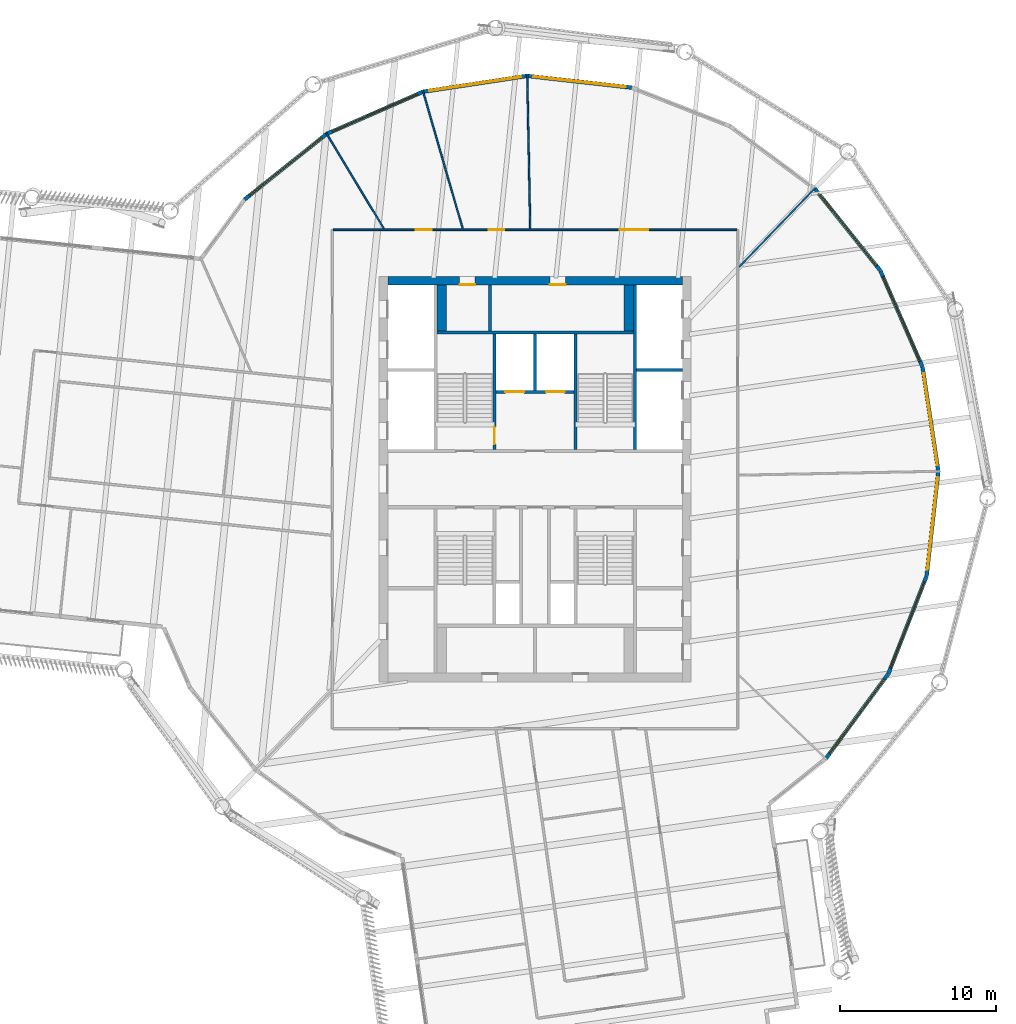
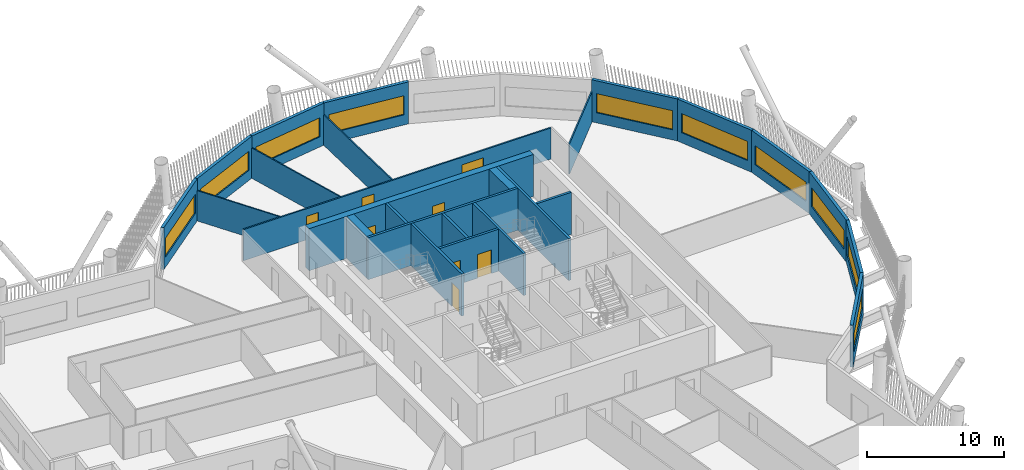
# One storey, part 6 of 22: 26 walls, 10 windows, 8 doors, 18 openings.
"""IFC4 building model written with IfcOpenShell, lengths in metres."""

import ifcopenshell
import ifcopenshell.guid

model = None  # the IFC model being written
_history = None  # IfcOwnerHistory: only IFC2X3 demands one
_inside = {}  # id of a spatial element -> (the spatial element, [elements in it])
_under = {}  # id of a project, library or spatial element -> (it, [spatial elements below it])
_declared = {}  # id of a project -> (the project, [libraries it declares])
_typed = {}  # id of a type object -> (the type object, [elements of that type])
_made_of = {}  # id of a material, layer set ... -> (it, [elements and type objects made of it])


def new_model(schema):
    """Start an empty IFC model of exactly this schema.

    Asked for "IFC4X3", IfcOpenShell would pick the latest addendum, in which some entities
    have other attributes; the version numbers below select the first issue.
    IFC2X3 requires an IfcOwnerHistory on every rooted entity: one is made here for all.
    """
    global model, _history
    if schema == "IFC4X3":
        model = ifcopenshell.file(schema_version=(4, 3, 0, 0))
    else:
        model = ifcopenshell.file(schema=schema)
    _inside.clear()
    _under.clear()
    _declared.clear()
    _typed.clear()
    _made_of.clear()
    _history = None
    if model.schema == "IFC2X3":
        org = make("IfcOrganization", Name="unknown")
        user = make(
            "IfcPersonAndOrganization",
            ThePerson=make("IfcPerson", FamilyName="unknown"),
            TheOrganization=org,
        )
        app = make(
            "IfcApplication",
            ApplicationDeveloper=org,
            Version="unknown",
            ApplicationFullName="unknown",
            ApplicationIdentifier="unknown",
        )
        _history = make(
            "IfcOwnerHistory",
            OwningUser=user,
            OwningApplication=app,
            ChangeAction="ADDED",
            CreationDate=0,
        )
    return model


def make(cls, **values):
    """One entity of the class cls with the attributes given. An attribute that is None is left unset."""
    return model.create_entity(
        cls, **{name: value for name, value in values.items() if value is not None}
    )


def rooted(cls, **values):
    """An entity with a GlobalId (a new one), such as an element, a storey or a relation."""
    return make(cls, GlobalId=ifcopenshell.guid.new(), OwnerHistory=_history, **values)


def si_unit(unit_type, name, prefix=None):
    """IfcSIUnit, for example si_unit("LENGTHUNIT", "METRE", prefix="MILLI")."""
    return make("IfcSIUnit", UnitType=unit_type, Prefix=prefix, Name=name)


def assignment(units):
    """IfcUnitAssignment: the units of a project."""
    return None if units is None else make("IfcUnitAssignment", Units=units)


def point(xyz):
    """IfcCartesianPoint."""
    return None if xyz is None else make("IfcCartesianPoint", Coordinates=xyz)


def direction(xyz):
    """IfcDirection."""
    return None if xyz is None else make("IfcDirection", DirectionRatios=xyz)


def frame(location, z_axis=None, x_axis=None):
    """IfcAxis2Placement3D, a coordinate frame: its origin and axes. An axis left out is left unset."""
    return make(
        "IfcAxis2Placement3D",
        Location=point(location),
        Axis=direction(z_axis),
        RefDirection=direction(x_axis),
    )


def frame_2d(location, x_axis=None):
    """IfcAxis2Placement2D, a coordinate frame in the plane: its origin and x axis."""
    return make(
        "IfcAxis2Placement2D", Location=point(location), RefDirection=direction(x_axis)
    )


def origin():
    """The frame at (0, 0, 0) with its axes left unset."""
    return frame((0.0, 0.0, 0.0))


def place(relative_to, where):
    """IfcLocalPlacement: puts the frame where relative to a parent placement (None: the world)."""
    return make(
        "IfcLocalPlacement", PlacementRelTo=relative_to, RelativePlacement=where
    )


def context(
    kind, dimensions, precision=None, world=None, true_north=None, identifier=None
):
    """IfcGeometricRepresentationContext, for example the 3D "Model" context."""
    return make(
        "IfcGeometricRepresentationContext",
        ContextIdentifier=identifier,
        ContextType=kind,
        CoordinateSpaceDimension=dimensions,
        Precision=precision,
        WorldCoordinateSystem=world,
        TrueNorth=true_north,
    )


def subcontext(parent, identifier, kind, view, scale=None):
    """IfcGeometricRepresentationSubContext, for example "Body" below "Model"."""
    return make(
        "IfcGeometricRepresentationSubContext",
        ContextIdentifier=identifier,
        ContextType=kind,
        ParentContext=parent,
        TargetScale=scale,
        TargetView=view,
    )


def project(units=None, contexts=None):
    """IfcProject with its units and contexts."""
    return rooted(
        "IfcProject",
        Name="project",
        RepresentationContexts=contexts,
        UnitsInContext=assignment(units),
    )


def spatial(cls, under=None, at=None, **own):
    """A site, building, storey or space (cls), placed at a placement, below another one or the project."""
    s = rooted(cls, ObjectPlacement=at, **own)
    if under is not None:
        _under.setdefault(under.id(), (under, []))[1].append(s)
    return s


def profile(cls, at=None, kind="AREA", **sizes):
    """A parametric profile (cls). Its sizes go by their IFC names, for example OverallWidth=200.0."""
    return make(cls, ProfileType=kind, Position=at, **sizes)


def rectangle(**sizes):
    """IfcRectangleProfileDef."""
    return profile("IfcRectangleProfileDef", **sizes)


def extrude(swept, where, along, depth):
    """IfcExtrudedAreaSolid: the profile swept, set in the frame where, extruded along a direction by depth."""
    return make(
        "IfcExtrudedAreaSolid",
        SweptArea=swept,
        Position=where,
        ExtrudedDirection=direction(along),
        Depth=depth,
    )


def shape(context_of_items, identifier, shape_type, items):
    """IfcShapeRepresentation: the items that make up one representation, for example the "Body"."""
    return make(
        "IfcShapeRepresentation",
        ContextOfItems=context_of_items,
        RepresentationIdentifier=identifier,
        RepresentationType=shape_type,
        Items=items,
    )


def material(Name=None, Category=None):
    """IfcMaterial."""
    return make("IfcMaterial", Name=Name, Category=Category)


def layer(
    of_material, thickness, ventilated=None, Name=None, Category=None, Priority=None
):
    """IfcMaterialLayer: one layer of a wall or slab, of a material (None: an air gap)."""
    return make(
        "IfcMaterialLayer",
        Material=of_material,
        LayerThickness=thickness,
        IsVentilated=ventilated,
        Name=Name,
        Category=Category,
        Priority=Priority,
    )


def layer_set(layers, Name=None):
    """IfcMaterialLayerSet."""
    return make("IfcMaterialLayerSet", MaterialLayers=layers, LayerSetName=Name)


def made_of(thing, what):
    """Note that an element or type object is made of a material, layer set ...; save() writes the relation."""
    if what is not None:
        _made_of.setdefault(what.id(), (what, []))[1].append(thing)
    return thing


def type_object(cls, material=None, **own):
    """A type object (cls), such as IfcWallType, which elements share."""
    return made_of(rooted(cls, **own), material)


def element(
    cls,
    number,
    at=None,
    inside=None,
    cuts=None,
    type_object=None,
    material=None,
    context=None,
    identifier="Body",
    shape_type=None,
    held_by="IfcProductDefinitionShape",
    body=None,
    shapes=None,
    **own,
):
    """One element of the class cls, such as IfcWall. Its Tag is "e" and its number.

    at: its placement. inside: the storey or other place that contains it. cuts: it is an
    opening in that element (IfcRelVoidsElement). A single representation is given by context,
    identifier, shape_type and body (its items); several are given by shapes. held_by: the class
    of the entity that holds the representations. save() writes the other relations.
    """
    e = rooted(cls, Tag="e%d" % number, ObjectPlacement=at, **own)
    if body is not None:
        shapes = [shape(context, identifier, shape_type, body)]
    if shapes is not None:
        e.Representation = make(held_by, Representations=shapes)
    if inside is not None:
        _inside.setdefault(inside.id(), (inside, []))[1].append(e)
    if cuts is not None:
        rooted(
            "IfcRelVoidsElement", RelatingBuildingElement=cuts, RelatedOpeningElement=e
        )
    if type_object is not None:
        _typed.setdefault(type_object.id(), (type_object, []))[1].append(e)
    return made_of(e, material)


def fill(opening, filler):
    """IfcRelFillsElement: the door or window that sits in an opening."""
    return rooted(
        "IfcRelFillsElement",
        RelatingOpeningElement=opening,
        RelatedBuildingElement=filler,
    )


def aggregate(whole, parts):
    """IfcRelAggregates: a whole, such as a stair, and the parts it consists of."""
    return rooted("IfcRelAggregates", RelatingObject=whole, RelatedObjects=parts)


def save(model, path):
    """Write the relations noted so far, then the file.

    IfcRelAggregates (storeys below a building ...), IfcRelContainedInSpatialStructure (elements
    in a storey), IfcRelDefinesByType, IfcRelAssociatesMaterial and IfcRelDeclares: one each for
    every whole, place, type object, material and project.
    """
    for whole, parts in _under.values():
        aggregate(whole, parts)
    for where, things in _inside.values():
        rooted(
            "IfcRelContainedInSpatialStructure",
            RelatedElements=things,
            RelatingStructure=where,
        )
    for kind, things in _typed.values():
        rooted("IfcRelDefinesByType", RelatedObjects=things, RelatingType=kind)
    for what, things in _made_of.values():
        rooted("IfcRelAssociatesMaterial", RelatedObjects=things, RelatingMaterial=what)
    for by, libraries in _declared.values():
        rooted("IfcRelDeclares", RelatingContext=by, RelatedDefinitions=libraries)
    model.write(path)


model = new_model("IFC4")

# Units and contexts
model_context = context("Model", 3, precision=1e-05, world=origin(), true_north=direction((0.0, 1.0)))
body_context = subcontext(model_context, "Body", "Model", "MODEL_VIEW")
ifc_project = project(units=[si_unit("LENGTHUNIT", "METRE"), si_unit("AREAUNIT", "SQUARE_METRE"), si_unit("VOLUMEUNIT", "CUBIC_METRE"), si_unit("PLANEANGLEUNIT", "RADIAN"), si_unit("MASSUNIT", "GRAM", prefix="KILO")], contexts=[model_context])

# Site, building, storey
site_placement = place(None, origin())
site = spatial("IfcSite", under=ifc_project, at=site_placement, CompositionType="ELEMENT")
building_placement = place(site_placement, origin())
building = spatial("IfcBuilding", under=site, at=building_placement, Name="Tarsis Ring Headquarters", CompositionType="ELEMENT")
storey_placement = place(building_placement, frame((0.0, 0.0, 263.0)))
storey = spatial("IfcBuildingStorey", under=building, at=storey_placement, Name="L61", CompositionType="ELEMENT", Elevation=263.0)

# Wall
ifc_material_1 = material(Name="Blockwork", Category="masonry")
ifc_layer_1 = layer(ifc_material_1, 0.199951171875)
ifc_layer_set_1 = layer_set([ifc_layer_1], Name="Core blockwork wall 200")
wall_type_1 = type_object("IfcWallType", Name="Core blockwork wall 200", PredefinedType="PARTITIONING", material=ifc_layer_set_1)
wall_1_placement = place(storey_placement, frame((-2.89990234375, 9.5, 0.0), z_axis=(0.0, 0.0, 1.0), x_axis=(0.0, 1.0, 0.0)))
element("IfcWall", 1, at=wall_1_placement, inside=storey, type_object=wall_type_1, Name="Core partition ND1", PredefinedType="PARTITIONING", context=body_context, shape_type="SweptSolid", body=[
    extrude(rectangle(XDim=2.949951171875, YDim=0.199951171875, at=frame_2d((1.47509765625, 0.0))), origin(), (0.0, 0.0, 1.0), 3.739990234375),
])

# Wall, openings, doors
ifc_material_2 = material(Name="Concrete C50/60", Category="concrete")
ifc_layer_2 = layer(ifc_material_2, 0.550048828125)
ifc_layer_set_2 = layer_set([ifc_layer_2], Name="Core wall 550 C50/60")
wall_type_2 = type_object("IfcWallType", Name="Core wall 550 C50/60", PredefinedType="SHEAR", material=ifc_layer_set_2)
wall_2_placement = place(storey_placement, frame((-9.449951171875, 12.72509765625, 0.0), z_axis=(0.0, 0.0, 1.0), x_axis=(1.0, 0.0, 0.0)))
wall_2 = element("IfcWall", 2, at=wall_2_placement, inside=storey, type_object=wall_type_2, Name="Core wall ON", PredefinedType="SHEAR", context=body_context, shape_type="SweptSolid", body=[
    extrude(rectangle(XDim=18.89990234375, YDim=0.550048828125, at=frame_2d((9.449951171875, 0.0))), origin(), (0.0, 0.0, 1.0), 3.739990234375),
])
opening_1_placement = place(wall_2_placement, frame((4.60009765625, 0.0, 0.0)))
opening_1 = element("IfcOpeningElement", 3, at=opening_1_placement, cuts=wall_2, Name="Opening L61-C16", PredefinedType="OPENING", context=body_context, shape_type="SweptSolid", body=[
    extrude(rectangle(XDim=1.0, YDim=2.10009765625, at=frame_2d((0.5, 1.050048828125))), frame((0.0, 0.284912109375, 0.0), z_axis=(0.0, -1.0, 0.0), x_axis=(1.0, 0.0, 0.0)), (0.0, 0.0, 1.0), 0.570068359375),
])
opening_2_placement = place(wall_2_placement, frame((10.39990234375, 0.0, 0.0)))
opening_2 = element("IfcOpeningElement", 4, at=opening_2_placement, cuts=wall_2, Name="Opening L61-C17", PredefinedType="OPENING", context=body_context, shape_type="SweptSolid", body=[
    extrude(rectangle(XDim=1.0, YDim=2.10009765625, at=frame_2d((0.5, 1.050048828125))), frame((0.0, 0.284912109375, 0.0), z_axis=(0.0, -1.0, 0.0), x_axis=(1.0, 0.0, 0.0)), (0.0, 0.0, 1.0), 0.570068359375),
])
ifc_material_3 = material(Name="Steel S355", Category="steel")
door_type_1 = type_object("IfcDoorType", Name="Core room door 1000x2100", OperationType="SINGLE_SWING_LEFT", PredefinedType="DOOR", material=ifc_material_3)
door_1_placement = place(opening_1_placement, origin())
door_1 = element("IfcDoor", 5, at=door_1_placement, inside=storey, type_object=door_type_1, Name="Core room door L61", OperationType="SINGLE_SWING_LEFT", OverallHeight=2.10009765625, OverallWidth=1.0, PredefinedType="DOOR", context=body_context, shape_type="SweptSolid", body=[
    extrude(rectangle(XDim=1.0, YDim=2.10009765625, at=frame_2d((0.5, 1.050048828125))), frame((0.0, -0.22509765625, 0.0), z_axis=(0.0, -1.0, 0.0), x_axis=(1.0, 0.0, 0.0)), (0.0, 0.0, 1.0), 0.050048828125),
])
fill(opening_1, door_1)
door_2_placement = place(opening_2_placement, origin())
door_2 = element("IfcDoor", 6, at=door_2_placement, inside=storey, type_object=door_type_1, Name="Core room door L61", OperationType="SINGLE_SWING_LEFT", OverallHeight=2.10009765625, OverallWidth=1.0, PredefinedType="DOOR", context=body_context, shape_type="SweptSolid", body=[
    extrude(rectangle(XDim=1.0, YDim=2.10009765625, at=frame_2d((0.5, 1.050048828125))), frame((0.0, -0.22509765625, 0.0), z_axis=(0.0, -1.0, 0.0), x_axis=(1.0, 0.0, 0.0)), (0.0, 0.0, 1.0), 0.050048828125),
])
fill(opening_2, door_2)

# Walls
ifc_material_4 = material(Name="Gypsum board on steel studs", Category="steel")
ifc_layer_3 = layer(ifc_material_4, 0.10009765625)
ifc_layer_set_3 = layer_set([ifc_layer_3], Name="FL partition 100 unrated")
wall_type_3 = type_object("IfcWallType", Name="FL partition 100 unrated", PredefinedType="PARTITIONING", material=ifc_layer_set_3)
wall_3_placement = place(storey_placement, frame((-0.507080078125, 25.94287109375, 0.0), z_axis=(0.0, 0.0, 1.0), x_axis=(0.019531870113, -0.999809234829, 0.0)))
element("IfcWall", 7, at=wall_3_placement, inside=storey, type_object=wall_type_3, Name="Partition PW3", PredefinedType="PARTITIONING", context=body_context, shape_type="SweptSolid", body=[
    extrude(rectangle(XDim=9.874755859375, YDim=0.10009765625, at=frame_2d((4.9375, 0.0))), origin(), (0.0, 0.0, 1.0), 2.699951171875),
])
wall_4_placement = place(storey_placement, frame((-7.204345703125, 24.927490234375, 0.0), z_axis=(0.0, 0.0, 1.0), x_axis=(0.277653123393, -0.960681395193, 0.0)))
element("IfcWall", 8, at=wall_4_placement, inside=storey, type_object=wall_type_3, Name="Partition PW3", PredefinedType="PARTITIONING", context=body_context, shape_type="SweptSolid", body=[
    extrude(rectangle(XDim=9.222900390625, YDim=0.10009765625, at=frame_2d((4.611328125, 0.0))), origin(), (0.0, 0.0, 1.0), 2.699951171875),
])
wall_5_placement = place(storey_placement, frame((-13.41064453125, 22.213623046875, 0.0), z_axis=(0.0, 0.0, 1.0), x_axis=(0.51680787544, -0.856101407477, 0.0)))
element("IfcWall", 9, at=wall_5_placement, inside=storey, type_object=wall_type_3, Name="Partition PW3", PredefinedType="PARTITIONING", context=body_context, shape_type="SweptSolid", body=[
    extrude(rectangle(XDim=7.168212890625, YDim=0.10009765625, at=frame_2d((3.583984375, 0.0))), origin(), (0.0, 0.0, 1.0), 2.699951171875),
])
wall_6_placement = place(storey_placement, frame((13.090087890625, 13.612060546875, 0.0), z_axis=(0.0, 0.0, 1.0), x_axis=(0.693162596652, 0.720781252949, 0.0)))
element("IfcWall", 10, at=wall_6_placement, inside=storey, type_object=wall_type_3, Name="Partition PW3", PredefinedType="PARTITIONING", context=body_context, shape_type="SweptSolid", body=[
    extrude(rectangle(XDim=7.06298828125, YDim=0.10009765625, at=frame_2d((3.531494140625, 0.0))), origin(), (0.0, 0.0, 1.0), 2.699951171875),
])

# Wall, openings, doors
ifc_layer_4 = layer(ifc_material_4, 0.125)
ifc_layer_set_4 = layer_set([ifc_layer_4], Name="FL partition 125 EI 60 H2770")
wall_type_4 = type_object("IfcWallType", Name="FL partition 125 EI 60 H2770", PredefinedType="PARTITIONING", material=ifc_layer_set_4)
wall_7_placement = place(storey_placement, frame((-12.93994140625, 16.0, 0.0), z_axis=(0.0, 0.0, 1.0), x_axis=(1.0, 0.0, 0.0)))
wall_7 = element("IfcWall", 11, at=wall_7_placement, inside=storey, type_object=wall_type_4, Name="Partition PW1", PredefinedType="PARTITIONING", context=body_context, shape_type="SweptSolid", body=[
    extrude(rectangle(XDim=25.8798828125, YDim=0.125, at=frame_2d((12.93994140625, 0.0))), origin(), (0.0, 0.0, 1.0), 2.77001953125),
])
opening_3_placement = place(wall_7_placement, frame((5.298095703125, 0.0, 0.0)))
opening_3 = element("IfcOpeningElement", 12, at=opening_3_placement, cuts=wall_7, Name="Opening D61.04", PredefinedType="OPENING", context=body_context, shape_type="SweptSolid", body=[
    extrude(rectangle(XDim=1.0, YDim=2.10009765625, at=frame_2d((0.5, 1.050048828125))), frame((0.0, 0.072509765625, 0.0), z_axis=(0.0, -1.0, 0.0), x_axis=(1.0, 0.0, 0.0)), (0.0, 0.0, 1.0), 0.14501953125),
])
opening_4_placement = place(wall_7_placement, frame((9.971435546875, 0.0, 0.0)))
opening_4 = element("IfcOpeningElement", 13, at=opening_4_placement, cuts=wall_7, Name="Opening D61.05", PredefinedType="OPENING", context=body_context, shape_type="SweptSolid", body=[
    extrude(rectangle(XDim=1.0, YDim=2.10009765625, at=frame_2d((0.5, 1.050048828125))), frame((0.0, 0.072509765625, 0.0), z_axis=(0.0, -1.0, 0.0), x_axis=(1.0, 0.0, 0.0)), (0.0, 0.0, 1.0), 0.14501953125),
])
opening_5_placement = place(wall_7_placement, frame((18.383544921875, 0.0, 0.0)))
opening_5 = element("IfcOpeningElement", 14, at=opening_5_placement, cuts=wall_7, Name="Opening D61.06", PredefinedType="OPENING", context=body_context, shape_type="SweptSolid", body=[
    extrude(rectangle(XDim=1.800048828125, YDim=2.10009765625, at=frame_2d((0.89990234375, 1.050048828125))), frame((0.0, 0.072509765625, 0.0), z_axis=(0.0, -1.0, 0.0), x_axis=(1.0, 0.0, 0.0)), (0.0, 0.0, 1.0), 0.14501953125),
])
ifc_material_5 = material(Name="Fire-rated timber door leaf in steel frame", Category="steel")
door_type_2 = type_object("IfcDoorType", Name="FL door FD60-1000", OperationType="NOTDEFINED", PredefinedType="DOOR", material=ifc_material_5)
door_3_placement = place(opening_3_placement, origin())
door_3 = element("IfcDoor", 15, at=door_3_placement, inside=storey, type_object=door_type_2, Name="Door D61.04", OperationType="SINGLE_SWING_LEFT", OverallHeight=2.10009765625, OverallWidth=1.0, PredefinedType="DOOR", context=body_context, shape_type="SweptSolid", body=[
    extrude(rectangle(XDim=1.0, YDim=2.10009765625, at=frame_2d((0.5, 1.050048828125))), frame((0.0, 0.02490234375, 0.0), z_axis=(0.0, -1.0, 0.0), x_axis=(1.0, 0.0, 0.0)), (0.0, 0.0, 1.0), 0.050048828125),
])
fill(opening_3, door_3)
door_4_placement = place(opening_4_placement, origin())
door_4 = element("IfcDoor", 16, at=door_4_placement, inside=storey, type_object=door_type_2, Name="Door D61.05", OperationType="SINGLE_SWING_RIGHT", OverallHeight=2.10009765625, OverallWidth=1.0, PredefinedType="DOOR", context=body_context, shape_type="SweptSolid", body=[
    extrude(rectangle(XDim=1.0, YDim=2.10009765625, at=frame_2d((0.5, 1.050048828125))), frame((0.0, 0.02490234375, 0.0), z_axis=(0.0, -1.0, 0.0), x_axis=(1.0, 0.0, 0.0)), (0.0, 0.0, 1.0), 0.050048828125),
])
fill(opening_4, door_4)
door_type_3 = type_object("IfcDoorType", Name="FL door FD60-1800", OperationType="DOUBLE_DOOR_SINGLE_SWING", PredefinedType="DOOR", material=ifc_material_5)
door_5_placement = place(opening_5_placement, origin())
door_5 = element("IfcDoor", 17, at=door_5_placement, inside=storey, type_object=door_type_3, Name="Door D61.06", OperationType="DOUBLE_DOOR_SINGLE_SWING", OverallHeight=2.10009765625, OverallWidth=1.800048828125, PredefinedType="DOOR", context=body_context, shape_type="SweptSolid", body=[
    extrude(rectangle(XDim=1.800048828125, YDim=2.10009765625, at=frame_2d((0.89990234375, 1.050048828125))), frame((0.0, 0.02490234375, 0.0), z_axis=(0.0, -1.0, 0.0), x_axis=(1.0, 0.0, 0.0)), (0.0, 0.0, 1.0), 0.050048828125),
])
fill(opening_5, door_5)

# Wall, opening, window
ifc_material_6 = material(Name="Terracotta clad insulated panel wall", Category="masonry")
ifc_layer_5 = layer(ifc_material_6, 0.25)
ifc_layer_set_5 = layer_set([ifc_layer_5], Name="Facade wall terracotta panel 250")
wall_type_5 = type_object("IfcWallType", Name="Facade wall terracotta panel 250", PredefinedType="STANDARD", material=ifc_layer_set_5)
wall_8_placement = place(storey_placement, frame((18.659423828125, -17.92138671875, 0.0), z_axis=(0.0, 0.0, 1.0), x_axis=(0.593132131177, 0.805105132865, 0.0)))
wall_8 = element("IfcWall", 18, at=wall_8_placement, inside=storey, type_object=wall_type_5, Name="External wall L61-18", PredefinedType="STANDARD", context=body_context, shape_type="SweptSolid", body=[
    extrude(rectangle(XDim=6.7216796875, YDim=0.25, at=frame_2d((3.36083984375, 0.0))), origin(), (0.0, 0.0, 1.0), 3.739990234375),
])
opening_6_placement = place(wall_8_placement, frame((0.3857421875, 0.0, 0.89990234375)))
opening_6 = element("IfcOpeningElement", 19, at=opening_6_placement, cuts=wall_8, Name="Opening WN07", PredefinedType="OPENING", context=body_context, shape_type="SweptSolid", body=[
    extrude(rectangle(XDim=5.949951171875, YDim=1.699951171875, at=frame_2d((2.97509765625, 0.85009765625))), frame((0.0, 0.135009765625, 0.0), z_axis=(0.0, -1.0, 0.0), x_axis=(1.0, 0.0, 0.0)), (0.0, 0.0, 1.0), 0.27001953125),
])
ifc_material_7 = material(Name="Aluminium framed double glazing", Category="aluminium")
window_type = type_object("IfcWindowType", Name="Facade window 5950 x 1700", PartitioningType="SINGLE_PANEL", PredefinedType="WINDOW", material=ifc_material_7)
window_1_placement = place(opening_6_placement, origin())
window_1 = element("IfcWindow", 20, at=window_1_placement, inside=storey, type_object=window_type, Name="Window L61-18.1", OverallHeight=1.699951171875, OverallWidth=5.949951171875, PartitioningType="SINGLE_PANEL", PredefinedType="WINDOW", context=body_context, shape_type="SweptSolid", body=[
    extrude(rectangle(XDim=5.949951171875, YDim=1.699951171875, at=frame_2d((2.97509765625, 0.85009765625))), frame((0.0, 0.030029296875, 0.0), z_axis=(0.0, -1.0, 0.0), x_axis=(1.0, 0.0, 0.0)), (0.0, 0.0, 1.0), 0.06005859375),
])
fill(opening_6, window_1)

wall_9_placement = place(storey_placement, frame((22.662109375, -12.481201171875, 0.0), z_axis=(0.0, 0.0, 1.0), x_axis=(0.3645294499, 0.931191860013, 0.0)))
wall_9 = element("IfcWall", 21, at=wall_9_placement, inside=storey, type_object=wall_type_5, Name="External wall L61-19", PredefinedType="STANDARD", context=body_context, shape_type="SweptSolid", body=[
    extrude(rectangle(XDim=6.721435546875, YDim=0.25, at=frame_2d((3.36083984375, 0.0))), origin(), (0.0, 0.0, 1.0), 3.739990234375),
])
opening_7_placement = place(wall_9_placement, frame((0.3857421875, 0.0, 0.89990234375)))
opening_7 = element("IfcOpeningElement", 22, at=opening_7_placement, cuts=wall_9, Name="Opening WN07", PredefinedType="OPENING", context=body_context, shape_type="SweptSolid", body=[
    extrude(rectangle(XDim=5.949951171875, YDim=1.699951171875, at=frame_2d((2.97509765625, 0.85009765625))), frame((0.0, 0.135009765625, 0.0), z_axis=(0.0, -1.0, 0.0), x_axis=(1.0, 0.0, 0.0)), (0.0, 0.0, 1.0), 0.27001953125),
])
window_2_placement = place(opening_7_placement, origin())
window_2 = element("IfcWindow", 23, at=window_2_placement, inside=storey, type_object=window_type, Name="Window L61-19.1", OverallHeight=1.699951171875, OverallWidth=5.949951171875, PartitioningType="SINGLE_PANEL", PredefinedType="WINDOW", context=body_context, shape_type="SweptSolid", body=[
    extrude(rectangle(XDim=5.949951171875, YDim=1.699951171875, at=frame_2d((2.97509765625, 0.85009765625))), frame((0.0, 0.030029296875, 0.0), z_axis=(0.0, -1.0, 0.0), x_axis=(1.0, 0.0, 0.0)), (0.0, 0.0, 1.0), 0.06005859375),
])
fill(opening_7, window_2)

wall_10_placement = place(storey_placement, frame((25.1201171875, -6.1904296875, 0.0), z_axis=(0.0, 0.0, 1.0), x_axis=(0.111145090553, 0.993804190395, 0.0)))
wall_10 = element("IfcWall", 24, at=wall_10_placement, inside=storey, type_object=wall_type_5, Name="External wall L61-20", PredefinedType="STANDARD", context=body_context, shape_type="SweptSolid", body=[
    extrude(rectangle(XDim=6.7216796875, YDim=0.25, at=frame_2d((3.36083984375, 0.0))), origin(), (0.0, 0.0, 1.0), 3.739990234375),
])
opening_8_placement = place(wall_10_placement, frame((0.3857421875, 0.0, 0.89990234375)))
opening_8 = element("IfcOpeningElement", 25, at=opening_8_placement, cuts=wall_10, Name="Opening WN07", PredefinedType="OPENING", context=body_context, shape_type="SweptSolid", body=[
    extrude(rectangle(XDim=5.949951171875, YDim=1.699951171875, at=frame_2d((2.97509765625, 0.85009765625))), frame((0.0, 0.135009765625, 0.0), z_axis=(0.0, -1.0, 0.0), x_axis=(1.0, 0.0, 0.0)), (0.0, 0.0, 1.0), 0.27001953125),
])
window_3_placement = place(opening_8_placement, origin())
window_3 = element("IfcWindow", 26, at=window_3_placement, inside=storey, type_object=window_type, Name="Window L61-20.1", OverallHeight=1.699951171875, OverallWidth=5.949951171875, PartitioningType="SINGLE_PANEL", PredefinedType="WINDOW", context=body_context, shape_type="SweptSolid", body=[
    extrude(rectangle(XDim=5.949951171875, YDim=1.699951171875, at=frame_2d((2.97509765625, 0.85009765625))), frame((0.0, 0.030029296875, 0.0), z_axis=(0.0, -1.0, 0.0), x_axis=(1.0, 0.0, 0.0)), (0.0, 0.0, 1.0), 0.06005859375),
])
fill(opening_8, window_3)

wall_11_placement = place(storey_placement, frame((25.866455078125, 0.52197265625, 0.0), z_axis=(0.0, 0.0, 1.0), x_axis=(-0.149862404546, 0.988706862373, 0.0)))
wall_11 = element("IfcWall", 27, at=wall_11_placement, inside=storey, type_object=wall_type_5, Name="External wall L61-21", PredefinedType="STANDARD", context=body_context, shape_type="SweptSolid", body=[
    extrude(rectangle(XDim=6.7216796875, YDim=0.25, at=frame_2d((3.36083984375, 0.0))), origin(), (0.0, 0.0, 1.0), 3.739990234375),
])
opening_9_placement = place(wall_11_placement, frame((0.3857421875, 0.0, 0.89990234375)))
opening_9 = element("IfcOpeningElement", 28, at=opening_9_placement, cuts=wall_11, Name="Opening WN07", PredefinedType="OPENING", context=body_context, shape_type="SweptSolid", body=[
    extrude(rectangle(XDim=5.949951171875, YDim=1.699951171875, at=frame_2d((2.97509765625, 0.85009765625))), frame((0.0, 0.135009765625, 0.0), z_axis=(0.0, -1.0, 0.0), x_axis=(1.0, 0.0, 0.0)), (0.0, 0.0, 1.0), 0.27001953125),
])
window_4_placement = place(opening_9_placement, origin())
window_4 = element("IfcWindow", 29, at=window_4_placement, inside=storey, type_object=window_type, Name="Window L61-21.1", OverallHeight=1.699951171875, OverallWidth=5.949951171875, PartitioningType="SINGLE_PANEL", PredefinedType="WINDOW", context=body_context, shape_type="SweptSolid", body=[
    extrude(rectangle(XDim=5.949951171875, YDim=1.699951171875, at=frame_2d((2.97509765625, 0.85009765625))), frame((0.0, 0.030029296875, 0.0), z_axis=(0.0, -1.0, 0.0), x_axis=(1.0, 0.0, 0.0)), (0.0, 0.0, 1.0), 0.06005859375),
])
fill(opening_9, window_4)

wall_12_placement = place(storey_placement, frame((24.85009765625, 7.198974609375, 0.0), z_axis=(0.0, 0.0, 1.0), x_axis=(-0.400668300595, 0.916223178543, 0.0)))
wall_12 = element("IfcWall", 30, at=wall_12_placement, inside=storey, type_object=wall_type_5, Name="External wall L61-22", PredefinedType="STANDARD", context=body_context, shape_type="SweptSolid", body=[
    extrude(rectangle(XDim=6.7216796875, YDim=0.25, at=frame_2d((3.36083984375, 0.0))), origin(), (0.0, 0.0, 1.0), 3.739990234375),
])
opening_10_placement = place(wall_12_placement, frame((0.3857421875, 0.0, 0.89990234375)))
opening_10 = element("IfcOpeningElement", 31, at=opening_10_placement, cuts=wall_12, Name="Opening WN07", PredefinedType="OPENING", context=body_context, shape_type="SweptSolid", body=[
    extrude(rectangle(XDim=5.949951171875, YDim=1.699951171875, at=frame_2d((2.97509765625, 0.85009765625))), frame((0.0, 0.135009765625, 0.0), z_axis=(0.0, -1.0, 0.0), x_axis=(1.0, 0.0, 0.0)), (0.0, 0.0, 1.0), 0.27001953125),
])
window_5_placement = place(opening_10_placement, origin())
window_5 = element("IfcWindow", 32, at=window_5_placement, inside=storey, type_object=window_type, Name="Window L61-22.1", OverallHeight=1.699951171875, OverallWidth=5.949951171875, PartitioningType="SINGLE_PANEL", PredefinedType="WINDOW", context=body_context, shape_type="SweptSolid", body=[
    extrude(rectangle(XDim=5.949951171875, YDim=1.699951171875, at=frame_2d((2.97509765625, 0.85009765625))), frame((0.0, 0.030029296875, 0.0), z_axis=(0.0, -1.0, 0.0), x_axis=(1.0, 0.0, 0.0)), (0.0, 0.0, 1.0), 0.06005859375),
])
fill(opening_10, window_5)

wall_13_placement = place(storey_placement, frame((22.14013671875, 13.38525390625, 0.0), z_axis=(0.0, 0.0, 1.0), x_axis=(-0.624145643721, 0.781308015717, 0.0)))
wall_13 = element("IfcWall", 33, at=wall_13_placement, inside=storey, type_object=wall_type_5, Name="External wall L61-23", PredefinedType="STANDARD", context=body_context, shape_type="SweptSolid", body=[
    extrude(rectangle(XDim=6.7216796875, YDim=0.25, at=frame_2d((3.36083984375, 0.0))), origin(), (0.0, 0.0, 1.0), 3.739990234375),
])
opening_11_placement = place(wall_13_placement, frame((0.3857421875, 0.0, 0.89990234375)))
opening_11 = element("IfcOpeningElement", 34, at=opening_11_placement, cuts=wall_13, Name="Opening WN07", PredefinedType="OPENING", context=body_context, shape_type="SweptSolid", body=[
    extrude(rectangle(XDim=5.949951171875, YDim=1.699951171875, at=frame_2d((2.97509765625, 0.85009765625))), frame((0.0, 0.135009765625, 0.0), z_axis=(0.0, -1.0, 0.0), x_axis=(1.0, 0.0, 0.0)), (0.0, 0.0, 1.0), 0.27001953125),
])
window_6_placement = place(opening_11_placement, origin())
window_6 = element("IfcWindow", 35, at=window_6_placement, inside=storey, type_object=window_type, Name="Window L61-23.1", OverallHeight=1.699951171875, OverallWidth=5.949951171875, PartitioningType="SINGLE_PANEL", PredefinedType="WINDOW", context=body_context, shape_type="SweptSolid", body=[
    extrude(rectangle(XDim=5.949951171875, YDim=1.699951171875, at=frame_2d((2.97509765625, 0.85009765625))), frame((0.0, 0.030029296875, 0.0), z_axis=(0.0, -1.0, 0.0), x_axis=(1.0, 0.0, 0.0)), (0.0, 0.0, 1.0), 0.06005859375),
])
fill(opening_11, window_6)

wall_14_placement = place(storey_placement, frame((6.1904296875, 25.1201171875, 0.0), z_axis=(0.0, 0.0, 1.0), x_axis=(-0.993804190395, 0.111145090553, 0.0)))
wall_14 = element("IfcWall", 36, at=wall_14_placement, inside=storey, type_object=wall_type_5, Name="External wall L61-26", PredefinedType="STANDARD", context=body_context, shape_type="SweptSolid", body=[
    extrude(rectangle(XDim=6.7216796875, YDim=0.25, at=frame_2d((3.36083984375, 0.0))), origin(), (0.0, 0.0, 1.0), 3.739990234375),
])
opening_12_placement = place(wall_14_placement, frame((0.3857421875, 0.0, 0.89990234375)))
opening_12 = element("IfcOpeningElement", 37, at=opening_12_placement, cuts=wall_14, Name="Opening WN07", PredefinedType="OPENING", context=body_context, shape_type="SweptSolid", body=[
    extrude(rectangle(XDim=5.949951171875, YDim=1.699951171875, at=frame_2d((2.97509765625, 0.85009765625))), frame((0.0, 0.135009765625, 0.0), z_axis=(0.0, -1.0, 0.0), x_axis=(1.0, 0.0, 0.0)), (0.0, 0.0, 1.0), 0.27001953125),
])
window_7_placement = place(opening_12_placement, origin())
window_7 = element("IfcWindow", 38, at=window_7_placement, inside=storey, type_object=window_type, Name="Window L61-26.1", OverallHeight=1.699951171875, OverallWidth=5.949951171875, PartitioningType="SINGLE_PANEL", PredefinedType="WINDOW", context=body_context, shape_type="SweptSolid", body=[
    extrude(rectangle(XDim=5.949951171875, YDim=1.699951171875, at=frame_2d((2.97509765625, 0.85009765625))), frame((0.0, 0.030029296875, 0.0), z_axis=(0.0, -1.0, 0.0), x_axis=(1.0, 0.0, 0.0)), (0.0, 0.0, 1.0), 0.06005859375),
])
fill(opening_12, window_7)

wall_15_placement = place(storey_placement, frame((-0.52197265625, 25.866455078125, 0.0), z_axis=(0.0, 0.0, 1.0), x_axis=(-0.988706862373, -0.149862404546, 0.0)))
wall_15 = element("IfcWall", 39, at=wall_15_placement, inside=storey, type_object=wall_type_5, Name="External wall L61-27", PredefinedType="STANDARD", context=body_context, shape_type="SweptSolid", body=[
    extrude(rectangle(XDim=6.7216796875, YDim=0.25, at=frame_2d((3.36083984375, 0.0))), origin(), (0.0, 0.0, 1.0), 3.739990234375),
])
opening_13_placement = place(wall_15_placement, frame((0.3857421875, 0.0, 0.89990234375)))
opening_13 = element("IfcOpeningElement", 40, at=opening_13_placement, cuts=wall_15, Name="Opening WN07", PredefinedType="OPENING", context=body_context, shape_type="SweptSolid", body=[
    extrude(rectangle(XDim=5.949951171875, YDim=1.699951171875, at=frame_2d((2.97509765625, 0.85009765625))), frame((0.0, 0.135009765625, 0.0), z_axis=(0.0, -1.0, 0.0), x_axis=(1.0, 0.0, 0.0)), (0.0, 0.0, 1.0), 0.27001953125),
])
window_8_placement = place(opening_13_placement, origin())
window_8 = element("IfcWindow", 41, at=window_8_placement, inside=storey, type_object=window_type, Name="Window L61-27.1", OverallHeight=1.699951171875, OverallWidth=5.949951171875, PartitioningType="SINGLE_PANEL", PredefinedType="WINDOW", context=body_context, shape_type="SweptSolid", body=[
    extrude(rectangle(XDim=5.949951171875, YDim=1.699951171875, at=frame_2d((2.97509765625, 0.85009765625))), frame((0.0, 0.030029296875, 0.0), z_axis=(0.0, -1.0, 0.0), x_axis=(1.0, 0.0, 0.0)), (0.0, 0.0, 1.0), 0.06005859375),
])
fill(opening_13, window_8)

wall_16_placement = place(storey_placement, frame((-7.198974609375, 24.85009765625, 0.0), z_axis=(0.0, 0.0, 1.0), x_axis=(-0.916223178543, -0.400668300595, 0.0)))
wall_16 = element("IfcWall", 42, at=wall_16_placement, inside=storey, type_object=wall_type_5, Name="External wall L61-28", PredefinedType="STANDARD", context=body_context, shape_type="SweptSolid", body=[
    extrude(rectangle(XDim=6.7216796875, YDim=0.25, at=frame_2d((3.36083984375, 0.0))), origin(), (0.0, 0.0, 1.0), 3.739990234375),
])
opening_14_placement = place(wall_16_placement, frame((0.3857421875, 0.0, 0.89990234375)))
opening_14 = element("IfcOpeningElement", 43, at=opening_14_placement, cuts=wall_16, Name="Opening WN07", PredefinedType="OPENING", context=body_context, shape_type="SweptSolid", body=[
    extrude(rectangle(XDim=5.949951171875, YDim=1.699951171875, at=frame_2d((2.97509765625, 0.85009765625))), frame((0.0, 0.135009765625, 0.0), z_axis=(0.0, -1.0, 0.0), x_axis=(1.0, 0.0, 0.0)), (0.0, 0.0, 1.0), 0.27001953125),
])
window_9_placement = place(opening_14_placement, origin())
window_9 = element("IfcWindow", 44, at=window_9_placement, inside=storey, type_object=window_type, Name="Window L61-28.1", OverallHeight=1.699951171875, OverallWidth=5.949951171875, PartitioningType="SINGLE_PANEL", PredefinedType="WINDOW", context=body_context, shape_type="SweptSolid", body=[
    extrude(rectangle(XDim=5.949951171875, YDim=1.699951171875, at=frame_2d((2.97509765625, 0.85009765625))), frame((0.0, 0.030029296875, 0.0), z_axis=(0.0, -1.0, 0.0), x_axis=(1.0, 0.0, 0.0)), (0.0, 0.0, 1.0), 0.06005859375),
])
fill(opening_14, window_9)

wall_17_placement = place(storey_placement, frame((-13.38525390625, 22.14013671875, 0.0), z_axis=(0.0, 0.0, 1.0), x_axis=(-0.781308015717, -0.624145643721, 0.0)))
wall_17 = element("IfcWall", 45, at=wall_17_placement, inside=storey, type_object=wall_type_5, Name="External wall L61-29", PredefinedType="STANDARD", context=body_context, shape_type="SweptSolid", body=[
    extrude(rectangle(XDim=6.7216796875, YDim=0.25, at=frame_2d((3.36083984375, 0.0))), origin(), (0.0, 0.0, 1.0), 3.739990234375),
])
opening_15_placement = place(wall_17_placement, frame((0.3857421875, 0.0, 0.89990234375)))
opening_15 = element("IfcOpeningElement", 46, at=opening_15_placement, cuts=wall_17, Name="Opening WN07", PredefinedType="OPENING", context=body_context, shape_type="SweptSolid", body=[
    extrude(rectangle(XDim=5.949951171875, YDim=1.699951171875, at=frame_2d((2.97509765625, 0.85009765625))), frame((0.0, 0.135009765625, 0.0), z_axis=(0.0, -1.0, 0.0), x_axis=(1.0, 0.0, 0.0)), (0.0, 0.0, 1.0), 0.27001953125),
])
window_10_placement = place(opening_15_placement, origin())
window_10 = element("IfcWindow", 47, at=window_10_placement, inside=storey, type_object=window_type, Name="Window L61-29.1", OverallHeight=1.699951171875, OverallWidth=5.949951171875, PartitioningType="SINGLE_PANEL", PredefinedType="WINDOW", context=body_context, shape_type="SweptSolid", body=[
    extrude(rectangle(XDim=5.949951171875, YDim=1.699951171875, at=frame_2d((2.97509765625, 0.85009765625))), frame((0.0, 0.030029296875, 0.0), z_axis=(0.0, -1.0, 0.0), x_axis=(1.0, 0.0, 0.0)), (0.0, 0.0, 1.0), 0.06005859375),
])
fill(opening_15, window_10)

# Walls
ifc_material_8 = material(Name="Concrete C32/40", Category="concrete")
ifc_layer_6 = layer(ifc_material_8, 0.60009765625)
ifc_layer_set_6 = layer_set([ifc_layer_6], Name="Shaft end wall 600 C32/40")
wall_type_6 = type_object("IfcWallType", Name="Shaft end wall 600 C32/40", PredefinedType="SOLIDWALL", material=ifc_layer_set_6)
for number, where, z_axis, x_axis, name in (
    (48, (-6.0, 9.5, 0.0), (0.0, 0.0, 1.0), (0.0, 1.0, 0.0), "Core shaft wall NNE1"),
    (49, (6.0, 9.5, 0.0), (0.0, 0.0, 1.0), (0.0, 1.0, 0.0), "Core shaft wall NNE2"),
):
    element("IfcWall", number, at=place(storey_placement, frame(where, z_axis=z_axis, x_axis=x_axis)), inside=storey, type_object=wall_type_6, Name=name, PredefinedType="SOLIDWALL", context=body_context, shape_type="SweptSolid", body=[
        extrude(rectangle(XDim=2.949951171875, YDim=0.60009765625, at=frame_2d((1.47509765625, 0.0))), origin(), (0.0, 0.0, 1.0), 3.739990234375),
    ])
ifc_layer_7 = layer(ifc_material_8, 0.199951171875)
ifc_layer_set_7 = layer_set([ifc_layer_7], Name="Shaft wall 200 C32/40")
wall_type_7 = type_object("IfcWallType", Name="Shaft wall 200 C32/40", PredefinedType="SOLIDWALL", material=ifc_layer_set_7)
wall_18_placement = place(storey_placement, frame((6.39990234375, 1.89990234375, 0.0), z_axis=(0.0, 0.0, 1.0), x_axis=(0.0, 1.0, 0.0)))
element("IfcWall", 50, at=wall_18_placement, inside=storey, type_object=wall_type_7, Name="Core shaft wall EB2", PredefinedType="SOLIDWALL", context=body_context, shape_type="SweptSolid", body=[
    extrude(rectangle(XDim=10.550048828125, YDim=0.199951171875, at=frame_2d((5.27490234375, 0.0))), origin(), (0.0, 0.0, 1.0), 3.739990234375),
])
wall_19_placement = place(storey_placement, frame((-6.300048828125, 9.39990234375, 0.0), z_axis=(0.0, 0.0, 1.0), x_axis=(1.0, 0.0, 0.0)))
element("IfcWall", 51, at=wall_19_placement, inside=storey, type_object=wall_type_7, Name="Core shaft wall NB", PredefinedType="SOLIDWALL", context=body_context, shape_type="SweptSolid", body=[
    extrude(rectangle(XDim=12.60009765625, YDim=0.199951171875, at=frame_2d((6.300048828125, 0.0))), origin(), (0.0, 0.0, 1.0), 3.739990234375),
])

# Wall, opening, door
wall_20_placement = place(storey_placement, frame((-2.60009765625, 1.89990234375, 0.0), z_axis=(0.0, 0.0, 1.0), x_axis=(0.0, 1.0, 0.0)))
wall_20 = element("IfcWall", 52, at=wall_20_placement, inside=storey, type_object=wall_type_7, Name="Core shaft wall SW1", PredefinedType="SOLIDWALL", context=body_context, shape_type="SweptSolid", body=[
    extrude(rectangle(XDim=7.400146484375, YDim=0.199951171875, at=frame_2d((3.7001953125, 0.0))), origin(), (0.0, 0.0, 1.0), 3.739990234375),
])
opening_16_placement = place(wall_20_placement, frame((0.35009765625, 0.0, 0.0)))
opening_16 = element("IfcOpeningElement", 53, at=opening_16_placement, cuts=wall_20, Name="Opening L61-C28", PredefinedType="OPENING", context=body_context, shape_type="SweptSolid", body=[
    extrude(rectangle(XDim=1.10009765625, YDim=2.10009765625, at=frame_2d((0.550048828125, 1.050048828125))), frame((0.0, 0.10986328125, 0.0), z_axis=(0.0, -1.0, 0.0), x_axis=(1.0, 0.0, 0.0)), (0.0, 0.0, 1.0), 0.219970703125),
])
door_type_4 = type_object("IfcDoorType", Name="Stair door 1100x2100", OperationType="SINGLE_SWING_LEFT", PredefinedType="DOOR", material=ifc_material_3)
door_6_placement = place(opening_16_placement, origin())
door_6 = element("IfcDoor", 54, at=door_6_placement, inside=storey, type_object=door_type_4, Name="Stair door L61", OperationType="SINGLE_SWING_LEFT", OverallHeight=2.10009765625, OverallWidth=1.10009765625, PredefinedType="DOOR", context=body_context, shape_type="SweptSolid", body=[
    extrude(rectangle(XDim=1.10009765625, YDim=2.10009765625, at=frame_2d((0.550048828125, 1.050048828125))), frame((0.0, 0.02490234375, 0.0), z_axis=(0.0, -1.0, 0.0), x_axis=(1.0, 0.0, 0.0)), (0.0, 0.0, 1.0), 0.050048828125),
])
fill(opening_16, door_6)

# Wall
wall_21_placement = place(storey_placement, frame((2.60009765625, 1.89990234375, 0.0), z_axis=(0.0, 0.0, 1.0), x_axis=(0.0, 1.0, 0.0)))
element("IfcWall", 55, at=wall_21_placement, inside=storey, type_object=wall_type_7, Name="Core shaft wall SW2", PredefinedType="SOLIDWALL", context=body_context, shape_type="SweptSolid", body=[
    extrude(rectangle(XDim=7.400146484375, YDim=0.199951171875, at=frame_2d((3.7001953125, 0.0))), origin(), (0.0, 0.0, 1.0), 3.739990234375),
])

# Wall, openings, doors
wall_22_placement = place(storey_placement, frame((-2.5, 5.60009765625, 0.0), z_axis=(0.0, 0.0, 1.0), x_axis=(1.0, 0.0, 0.0)))
wall_22 = element("IfcWall", 56, at=wall_22_placement, inside=storey, type_object=wall_type_7, Name="Core shaft wall FFN", PredefinedType="SOLIDWALL", context=body_context, shape_type="SweptSolid", body=[
    extrude(rectangle(XDim=5.0, YDim=0.199951171875, at=frame_2d((2.5, 0.0))), origin(), (0.0, 0.0, 1.0), 3.739990234375),
])
opening_17_placement = place(wall_22_placement, frame((0.60009765625, 0.0, 0.0)))
opening_17 = element("IfcOpeningElement", 57, at=opening_17_placement, cuts=wall_22, Name="Opening LDF-1", PredefinedType="OPENING", context=body_context, shape_type="SweptSolid", body=[
    extrude(rectangle(XDim=1.199951171875, YDim=2.10009765625, at=frame_2d((0.60009765625, 1.050048828125))), frame((0.0, 0.10986328125, 0.0), z_axis=(0.0, -1.0, 0.0), x_axis=(1.0, 0.0, 0.0)), (0.0, 0.0, 1.0), 0.219970703125),
])
opening_18_placement = place(wall_22_placement, frame((3.199951171875, 0.0, 0.0)))
opening_18 = element("IfcOpeningElement", 58, at=opening_18_placement, cuts=wall_22, Name="Opening LDF-2", PredefinedType="OPENING", context=body_context, shape_type="SweptSolid", body=[
    extrude(rectangle(XDim=1.199951171875, YDim=2.10009765625, at=frame_2d((0.60009765625, 1.050048828125))), frame((0.0, 0.10986328125, 0.0), z_axis=(0.0, -1.0, 0.0), x_axis=(1.0, 0.0, 0.0)), (0.0, 0.0, 1.0), 0.219970703125),
])
door_type_5 = type_object("IfcDoorType", Name="Firefighting landing door 1200x2100", OperationType="SLIDING_TO_LEFT", PredefinedType="DOOR", material=ifc_material_3)
door_7_placement = place(opening_17_placement, origin())
door_7 = element("IfcDoor", 59, at=door_7_placement, inside=storey, type_object=door_type_5, Name="Landing door FF1 L61", OperationType="SLIDING_TO_LEFT", OverallHeight=2.10009765625, OverallWidth=1.199951171875, PredefinedType="DOOR", context=body_context, shape_type="SweptSolid", body=[
    extrude(rectangle(XDim=1.199951171875, YDim=2.10009765625, at=frame_2d((0.60009765625, 1.050048828125))), frame((0.0, 0.02490234375, 0.0), z_axis=(0.0, -1.0, 0.0), x_axis=(1.0, 0.0, 0.0)), (0.0, 0.0, 1.0), 0.050048828125),
])
fill(opening_17, door_7)
door_8_placement = place(opening_18_placement, origin())
door_8 = element("IfcDoor", 60, at=door_8_placement, inside=storey, type_object=door_type_5, Name="Landing door FF2 L61", OperationType="SLIDING_TO_LEFT", OverallHeight=2.10009765625, OverallWidth=1.199951171875, PredefinedType="DOOR", context=body_context, shape_type="SweptSolid", body=[
    extrude(rectangle(XDim=1.199951171875, YDim=2.10009765625, at=frame_2d((0.60009765625, 1.050048828125))), frame((0.0, 0.02490234375, 0.0), z_axis=(0.0, -1.0, 0.0), x_axis=(1.0, 0.0, 0.0)), (0.0, 0.0, 1.0), 0.050048828125),
])
fill(opening_18, door_8)

# Walls
wall_23_placement = place(storey_placement, frame((0.0, 5.699951171875, 0.0), z_axis=(0.0, 0.0, 1.0), x_axis=(0.0, 1.0, 0.0)))
element("IfcWall", 61, at=wall_23_placement, inside=storey, type_object=wall_type_7, Name="Core shaft wall FFD", PredefinedType="SOLIDWALL", context=body_context, shape_type="SweptSolid", body=[
    extrude(rectangle(XDim=3.60009765625, YDim=0.199951171875, at=frame_2d((1.800048828125, 0.0))), origin(), (0.0, 0.0, 1.0), 3.739990234375),
])
wall_24_placement = place(storey_placement, frame((6.5, 7.0, 0.0), z_axis=(0.0, 0.0, 1.0), x_axis=(1.0, 0.0, 0.0)))
element("IfcWall", 62, at=wall_24_placement, inside=storey, type_object=wall_type_7, Name="Core shaft wall ED6", PredefinedType="SOLIDWALL", context=body_context, shape_type="SweptSolid", body=[
    extrude(rectangle(XDim=2.949951171875, YDim=0.199951171875, at=frame_2d((1.47509765625, 0.0))), origin(), (0.0, 0.0, 1.0), 3.739990234375),
])

save(model, "model.ifc")
